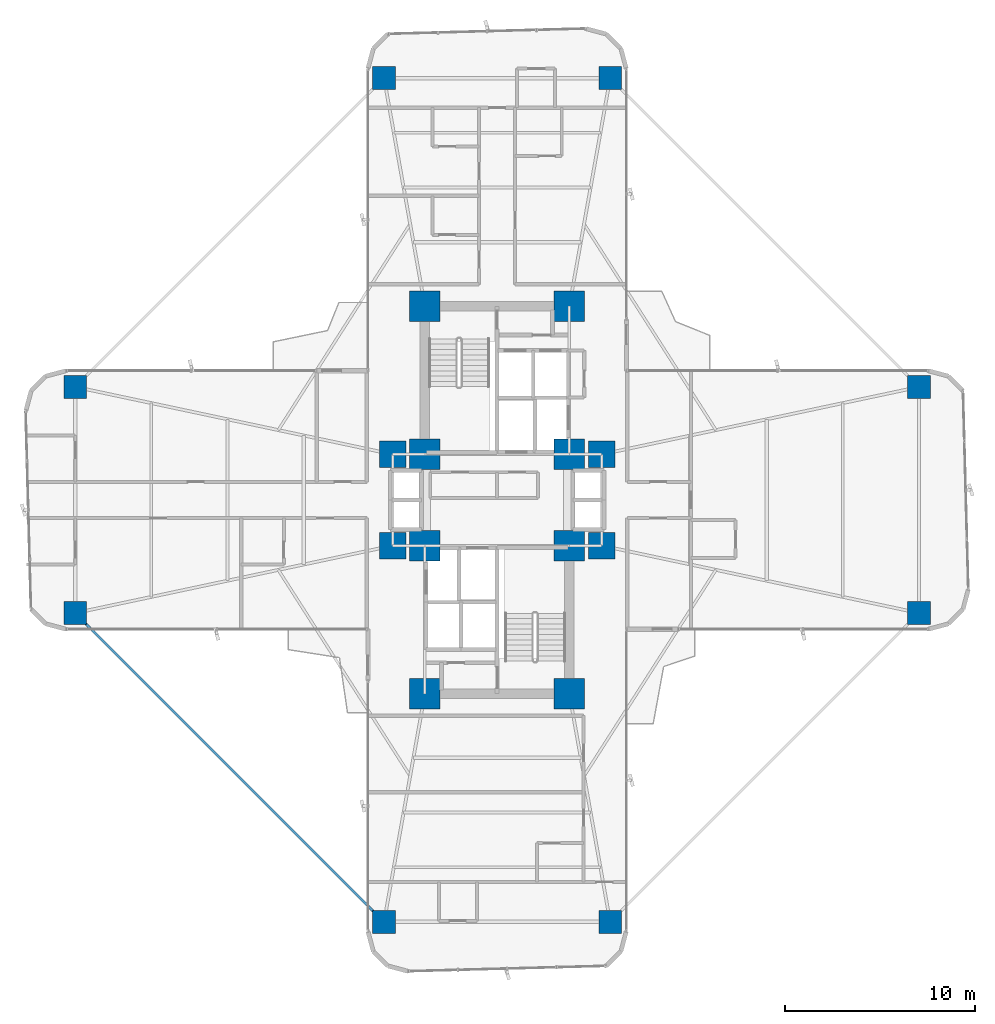
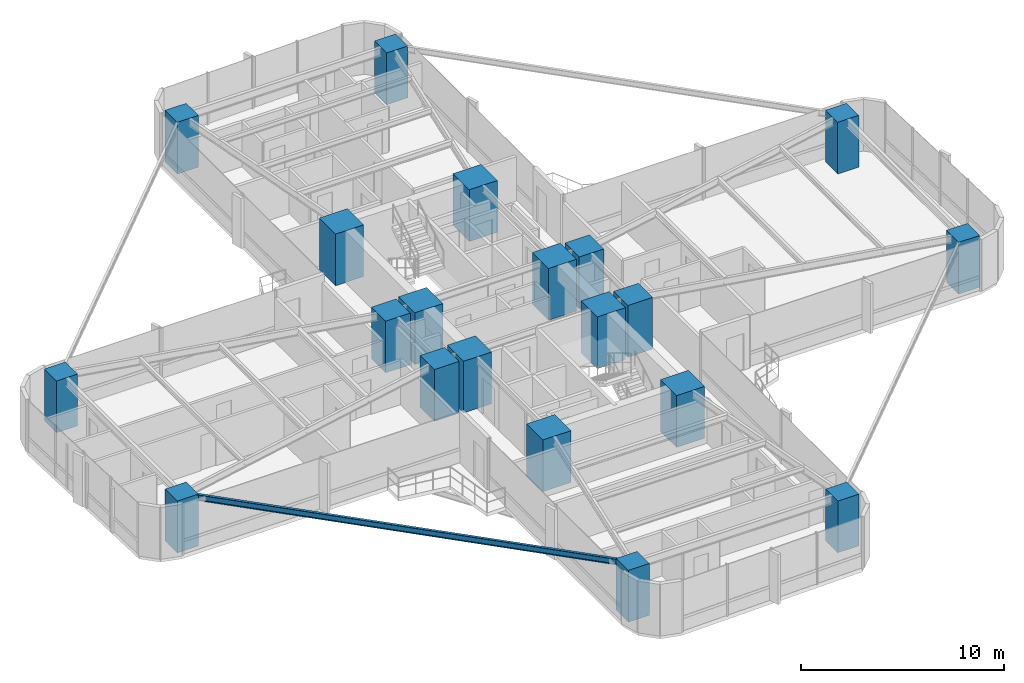
# One storey, part 1 of 25: 20 columns, 1 beam.
"""IFC4 building model written with IfcOpenShell, lengths in metres."""

from ifc_helpers import new_model, si_unit, direction, frame, origin, origin_2d, place, context, subcontext, project, spatial, rectangle, i_section, extrude, source, transform, mapped, material, material_profile, profile_set, type_object, element, save


model = new_model("IFC4")

# Units and contexts
model_context = context("Model", 3, precision=1e-05, world=origin(), true_north=direction((0.0, 1.0)))
body_context = subcontext(model_context, "Body", "Model", "MODEL_VIEW")
ifc_project = project(units=[si_unit("LENGTHUNIT", "METRE"), si_unit("AREAUNIT", "SQUARE_METRE"), si_unit("VOLUMEUNIT", "CUBIC_METRE"), si_unit("PLANEANGLEUNIT", "RADIAN"), si_unit("MASSUNIT", "GRAM", prefix="KILO")], contexts=[model_context])

# Site, building, storey
site_placement = place(None, origin())
site = spatial("IfcSite", under=ifc_project, at=site_placement, CompositionType="ELEMENT")
building_placement = place(site_placement, origin())
building = spatial("IfcBuilding", under=site, at=building_placement, Name="Sahyath Konkavel Grand Hotel", CompositionType="ELEMENT")
storey_placement = place(building_placement, frame((0.0, 0.0, 54.39990234375)))
storey = spatial("IfcBuildingStorey", under=building, at=storey_placement, Name="L14", CompositionType="ELEMENT", Elevation=54.39990234375)

# Columns
ifc_material_1 = material(Name="Concrete C70/85", Category="concrete")
ifc_material_profile_1 = material_profile(ifc_material_1, rectangle(XDim=1.60009765625, YDim=1.60009765625, at=origin_2d()), Name="RC 1600x1600")
ifc_profile_set_1 = profile_set([ifc_material_profile_1], Name="Concrete C70/85")
column_type_1 = type_object("IfcColumnType", Name="COL-RC1600", PredefinedType="COLUMN", material=ifc_profile_set_1)
shared_shape_1 = source(origin(), body_context, "Body", "SweptSolid", [
    extrude(rectangle(XDim=1.60009765625, YDim=1.60009765625, at=origin_2d()), origin(), (0.0, 0.0, 1.0), 3.110107421875),
])
for number, where, z_axis, x_axis, name in (
    (1, (-3.800048828125, 2.39990234375, 0.0), (0.0, 0.0, 1.0), (1.0, 0.0, 0.0), "L14 Core Boundary Column NC-SW"),
    (2, (3.800048828125, 2.39990234375, 0.0), (0.0, 0.0, 1.0), (1.0, 0.0, 0.0), "L14 Core Boundary Column NC-SE"),
    (3, (-3.800048828125, 10.199951171875, 0.0), (0.0, 0.0, 1.0), (1.0, 0.0, 0.0), "L14 Core Boundary Column NC-NW"),
    (4, (3.800048828125, 10.199951171875, 0.0), (0.0, 0.0, 1.0), (1.0, 0.0, 0.0), "L14 Core Boundary Column NC-NE"),
    (5, (-3.800048828125, -2.39990234375, 0.0), (0.0, 0.0, 1.0), (1.0, 0.0, 0.0), "L14 Core Boundary Column SC-NW"),
    (6, (3.800048828125, -2.39990234375, 0.0), (0.0, 0.0, 1.0), (1.0, 0.0, 0.0), "L14 Core Boundary Column SC-NE"),
    (7, (-3.800048828125, -10.199951171875, 0.0), (0.0, 0.0, 1.0), (1.0, 0.0, 0.0), "L14 Core Boundary Column SC-SW"),
    (8, (3.800048828125, -10.199951171875, 0.0), (0.0, 0.0, 1.0), (1.0, 0.0, 0.0), "L14 Core Boundary Column SC-SE"),
):
    element("IfcColumn", number, at=place(storey_placement, frame(where, z_axis=z_axis, x_axis=x_axis)), inside=storey, type_object=column_type_1, Name=name, PredefinedType="COLUMN", context=body_context, shape_type="MappedRepresentation", body=[
        mapped(shared_shape_1, transform((0.0, 0.0, 0.0), scale=1.0)),
    ])
ifc_material_profile_2 = material_profile(ifc_material_1, rectangle(XDim=1.39990234375, YDim=1.39990234375, at=origin_2d()), Name="RC 1400x1400")
ifc_profile_set_2 = profile_set([ifc_material_profile_2], Name="Concrete C70/85")
column_type_2 = type_object("IfcColumnType", Name="COL-RC1400", PredefinedType="COLUMN", material=ifc_profile_set_2)
shared_shape_2 = source(origin(), body_context, "Body", "SweptSolid", [
    extrude(rectangle(XDim=1.39990234375, YDim=1.39990234375, at=origin_2d()), origin(), (0.0, 0.0, 1.0), 3.110107421875),
])
for number, where, z_axis, x_axis, name in (
    (9, (5.5, 2.39990234375, 0.0), (0.0, 0.0, 1.0), (1.0, 0.0, 0.0), "L14 Central Spine Column HB-NE"),
    (10, (-5.5, 2.39990234375, 0.0), (0.0, 0.0, 1.0), (1.0, 0.0, 0.0), "L14 Central Spine Column HB-NW"),
    (11, (5.5, -2.39990234375, 0.0), (0.0, 0.0, 1.0), (1.0, 0.0, 0.0), "L14 Central Spine Column HB-SE"),
    (12, (-5.5, -2.39990234375, 0.0), (0.0, 0.0, 1.0), (1.0, 0.0, 0.0), "L14 Central Spine Column HB-SW"),
):
    element("IfcColumn", number, at=place(storey_placement, frame(where, z_axis=z_axis, x_axis=x_axis)), inside=storey, type_object=column_type_2, Name=name, PredefinedType="COLUMN", context=body_context, shape_type="MappedRepresentation", body=[
        mapped(shared_shape_2, transform((0.0, 0.0, 0.0), scale=1.0)),
    ])
ifc_material_2 = material(Name="Concrete C50/60", Category="concrete")
ifc_material_profile_3 = material_profile(ifc_material_2, rectangle(XDim=1.199951171875, YDim=1.199951171875, at=origin_2d()), Name="RC 1200x1200")
ifc_profile_set_3 = profile_set([ifc_material_profile_3], Name="Concrete C50/60")
column_type_3 = type_object("IfcColumnType", Name="COL-RC1200", PredefinedType="COLUMN", material=ifc_profile_set_3)
shared_shape_3 = source(origin(), body_context, "Body", "SweptSolid", [
    extrude(rectangle(XDim=1.199951171875, YDim=1.199951171875, at=origin_2d()), origin(), (0.0, 0.0, 1.0), 3.110107421875),
])
for number, where, z_axis, x_axis, name in (
    (13, (22.199951171875, -5.949951171875, 0.0), (0.0, 0.0, 1.0), (1.0, 0.0, 0.0), "L14 Cruciform Wing Column WC-EA"),
    (14, (22.199951171875, 5.949951171875, 0.0), (0.0, 0.0, 1.0), (1.0, 0.0, 0.0), "L14 Cruciform Wing Column WC-EB"),
    (15, (5.949951171875, 22.199951171875, 0.0), (0.0, 0.0, 1.0), (1.0, 0.0, 0.0), "L14 Cruciform Wing Column WC-NA"),
    (16, (-5.949951171875, 22.199951171875, 0.0), (0.0, 0.0, 1.0), (1.0, 0.0, 0.0), "L14 Cruciform Wing Column WC-NB"),
    (17, (-22.199951171875, 5.949951171875, 0.0), (0.0, 0.0, 1.0), (1.0, 0.0, 0.0), "L14 Cruciform Wing Column WC-WA"),
    (18, (-22.199951171875, -5.949951171875, 0.0), (0.0, 0.0, 1.0), (1.0, 0.0, 0.0), "L14 Cruciform Wing Column WC-WB"),
    (19, (-5.949951171875, -22.199951171875, 0.0), (0.0, 0.0, 1.0), (1.0, 0.0, 0.0), "L14 Cruciform Wing Column WC-SA"),
    (20, (5.949951171875, -22.199951171875, 0.0), (0.0, 0.0, 1.0), (1.0, 0.0, 0.0), "L14 Cruciform Wing Column WC-SB"),
):
    element("IfcColumn", number, at=place(storey_placement, frame(where, z_axis=z_axis, x_axis=x_axis)), inside=storey, type_object=column_type_3, Name=name, PredefinedType="COLUMN", context=body_context, shape_type="MappedRepresentation", body=[
        mapped(shared_shape_3, transform((0.0, 0.0, 0.0), scale=1.0)),
    ])

# Beam
ifc_material_3 = material(Name="Steel E350", Category="steel")
ifc_material_profile_4 = material_profile(ifc_material_3, i_section(OverallWidth=0.139892578125, OverallDepth=0.35009765625, WebThickness=0.008056640625, FlangeThickness=0.01416015625, FilletRadius=0.013916015625, at=origin_2d()), Name="ISMB 350")
ifc_profile_set_4 = profile_set([ifc_material_profile_4], Name="Steel E350")
beam_type = type_object("IfcBeamType", Name="BM-ISMB350", PredefinedType="BEAM", material=ifc_profile_set_4)
shared_shape_4 = source(origin(), body_context, "Body", "SweptSolid", [
    extrude(i_section(OverallWidth=0.139892578125, OverallDepth=0.35009765625, WebThickness=0.008056640625, FlangeThickness=0.01416015625, FilletRadius=0.013916015625, at=origin_2d()), origin(), (0.0, 0.0, 1.0), 22.98095703125),
])
beam_placement = place(storey_placement, frame((-22.199951171875, -5.949951171875, 2.93505859375), z_axis=(0.707106781187, -0.707106781187, 0.0), x_axis=(0.707106781187, 0.707106781187, 0.0)))
element("IfcBeam", 21, at=beam_placement, inside=storey, type_object=beam_type, Name="L14 Re-Entrant Tie Beam SW", PredefinedType="BEAM", context=body_context, shape_type="MappedRepresentation", body=[
    mapped(shared_shape_4, transform((0.0, 0.0, 0.0), scale=1.0)),
])

save(model, "model.ifc")
